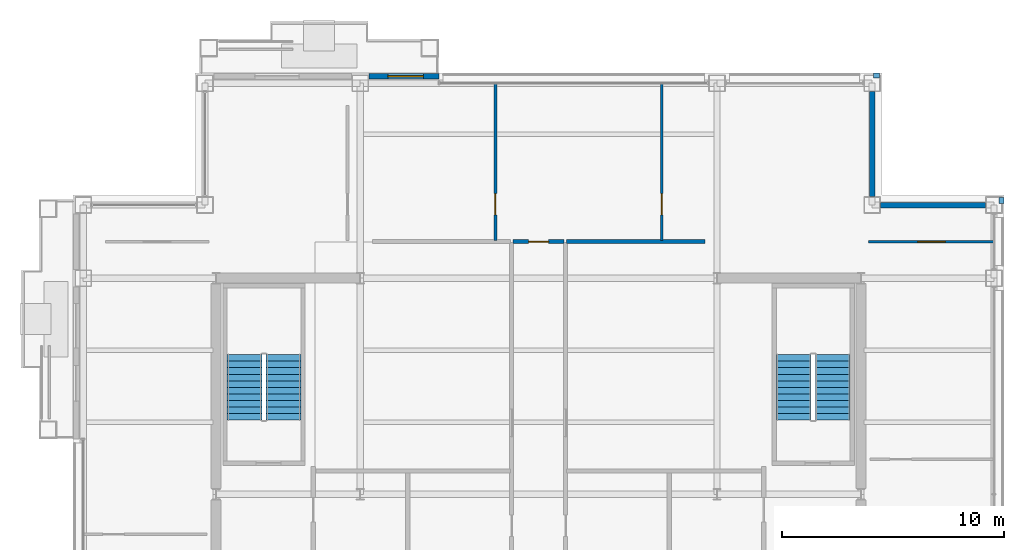
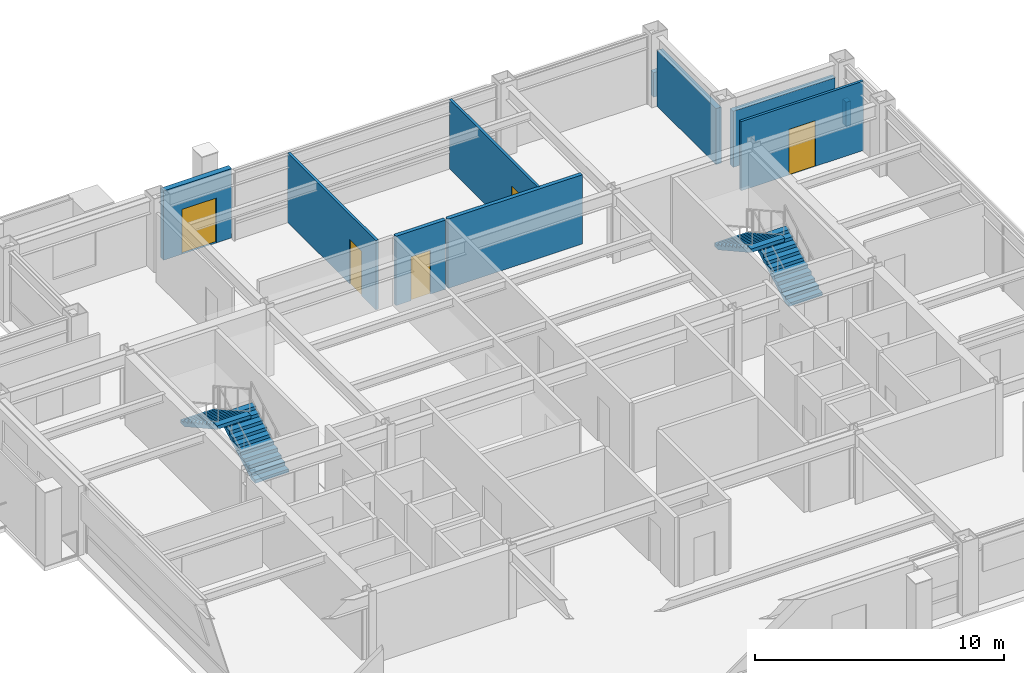
# One storey, part 27 of 30: 10 walls, 5 doors, 4 stair flights, 5 openings, 2 elements without a shape of their own.
"""IFC4 building model written with IfcOpenShell, lengths in metres."""

from ifc_helpers import new_model, si_unit, direction, frame, frame_2d, origin, place, context, subcontext, project, spatial, polyline, rectangle, outline, extrude, material, layer, layer_set, type_object, element, fill, aggregate, save


model = new_model("IFC4")

# Units and contexts
model_context = context("Model", 3, precision=1e-05, world=origin(), true_north=direction((0.0, 1.0)))
body_context = subcontext(model_context, "Body", "Model", "MODEL_VIEW")
ifc_project = project(units=[si_unit("LENGTHUNIT", "METRE"), si_unit("AREAUNIT", "SQUARE_METRE"), si_unit("VOLUMEUNIT", "CUBIC_METRE"), si_unit("PLANEANGLEUNIT", "RADIAN"), si_unit("MASSUNIT", "GRAM", prefix="KILO")], contexts=[model_context])

# Site, building, storey
site_placement = place(None, origin())
site = spatial("IfcSite", under=ifc_project, at=site_placement, CompositionType="ELEMENT")
building_placement = place(site_placement, origin())
building = spatial("IfcBuilding", under=site, at=building_placement, Name="Brelmoor Portico Tower", CompositionType="ELEMENT")
storey_placement = place(building_placement, frame((0.0, 0.0, 169.5)))
storey = spatial("IfcBuildingStorey", under=building, at=storey_placement, Name="L44", CompositionType="ELEMENT", Elevation=169.5)

# Wall, opening, door
ifc_material_1 = material(Name="Precast Concrete C40 Insulated Facade Wall", Category="concrete")
ifc_layer_1 = layer(ifc_material_1, 0.25)
ifc_layer_set_1 = layer_set([ifc_layer_1], Name="Precast Concrete C40 Insulated Facade Wall")
wall_type_1 = type_object("IfcWallType", Name="WL-EXT-250", PredefinedType="STANDARD", material=ifc_layer_set_1)
wall_1_placement = place(storey_placement, frame((-7.655029296875, 18.860107421875, 0.0), z_axis=(0.0, 0.0, 1.0), x_axis=(1.0, 0.0, 0.0)))
wall_1 = element("IfcWall", 1, at=wall_1_placement, inside=storey, type_object=wall_type_1, Name="L44 Loggia Threshold Wall N-2", PredefinedType="STANDARD", context=body_context, shape_type="SweptSolid", body=[
    extrude(rectangle(XDim=3.155029296875, YDim=0.25, at=frame_2d((1.57763671875, 0.0))), origin(), (0.0, 0.0, 1.0), 3.39990234375),
])
opening_1_placement = place(wall_1_placement, frame((0.85498046875, 0.0, 0.0)))
opening_1 = element("IfcOpeningElement", 2, at=opening_1_placement, cuts=wall_1, Name="Opening D-TB1", PredefinedType="OPENING", context=body_context, shape_type="SweptSolid", body=[
    extrude(rectangle(XDim=1.60009765625, YDim=2.199951171875, at=frame_2d((0.800048828125, 1.10009765625))), frame((0.0, 0.135009765625, 0.0), z_axis=(0.0, -1.0, 0.0), x_axis=(1.0, 0.0, 0.0)), (0.0, 0.0, 1.0), 0.27001953125),
])
ifc_material_2 = material(Name="Double-Leaf Thermally Broken Terrace Door", Category="aluminium")
door_type_1 = type_object("IfcDoorType", Name="DR-BALCONY-1600", OperationType="NOTDEFINED", PredefinedType="DOOR", material=ifc_material_2)
door_1_placement = place(opening_1_placement, origin())
door_1 = element("IfcDoor", 3, at=door_1_placement, inside=storey, type_object=door_type_1, Name="D-1892 L44 Tree Balcony Double Door N", OperationType="DOUBLE_DOOR_SINGLE_SWING", OverallHeight=2.199951171875, OverallWidth=1.60009765625, PredefinedType="DOOR", context=body_context, shape_type="SweptSolid", body=[
    extrude(rectangle(XDim=1.60009765625, YDim=2.199951171875, at=frame_2d((0.800048828125, 1.10009765625))), frame((0.0, 0.02490234375, 0.0), z_axis=(0.0, -1.0, 0.0), x_axis=(1.0, 0.0, 0.0)), (0.0, 0.0, 1.0), 0.050048828125),
])
fill(opening_1, door_1)

# Walls
for number, where, z_axis, x_axis, name in (
    (4, (15.43505859375, 13.050048828125, 0.0), (0.0, 0.0, 1.0), (1.0, 0.0, 0.0), "L44 Corner Notch Facade Wall NNEH1"),
    (5, (15.050048828125, 13.43505859375, 0.0), (0.0, 0.0, 1.0), (0.0, 1.0, 0.0), "L44 Corner Notch Facade Wall NNEV1"),
):
    element("IfcWall", number, at=place(storey_placement, frame(where, z_axis=z_axis, x_axis=x_axis)), inside=storey, type_object=wall_type_1, Name=name, PredefinedType="STANDARD", context=body_context, shape_type="SweptSolid", body=[
        extrude(rectangle(XDim=4.72998046875, YDim=0.25, at=frame_2d((2.364990234375, 0.0))), origin(), (0.0, 0.0, 1.0), 2.75),
    ])
ifc_material_3 = material(Name="Concrete C40 Parapet Upstand", Category="concrete")
ifc_layer_2 = layer(ifc_material_3, 0.219970703125)
ifc_layer_set_2 = layer_set([ifc_layer_2], Name="Concrete C40 Parapet Upstand")
wall_type_2 = type_object("IfcWallType", Name="WL-PARAPET-220", PredefinedType="PARAPET", material=ifc_layer_set_2)
for number, where, z_axis, x_axis, name in (
    (6, (15.1201171875, 18.889892578125, 0.0), (0.0, 0.0, 1.0), (1.0, 0.0, 0.0), "L44 Chamfer Vertex Parapet Pier NE1"),
    (7, (20.889892578125, 13.1201171875, 0.0), (0.0, 0.0, 1.0), (0.0, 1.0, 0.0), "L44 Chamfer Vertex Parapet Pier NE2"),
):
    element("IfcWall", number, at=place(storey_placement, frame(where, z_axis=z_axis, x_axis=x_axis)), inside=storey, type_object=wall_type_2, Name=name, PredefinedType="PARAPET", context=body_context, shape_type="SweptSolid", body=[
        extrude(rectangle(XDim=0.269775390625, YDim=0.219970703125, at=frame_2d((0.134765625, 0.0))), origin(), (0.0, 0.0, 1.0), 1.199951171875),
    ])

# Wall, opening, door
ifc_material_4 = material(Name="Lightweight Gypsum Office Partition", Category="gypsum")
ifc_layer_3 = layer(ifc_material_4, 0.1201171875)
ifc_layer_set_3 = layer_set([ifc_layer_3], Name="Lightweight Gypsum Office Partition")
wall_type_3 = type_object("IfcWallType", Name="WL-PART-120", PredefinedType="PARTITIONING", material=ifc_layer_set_3)
wall_2_placement = place(storey_placement, frame((-1.947509765625, 11.4599609375, 0.0), z_axis=(0.0, 0.0, 1.0), x_axis=(0.0, 1.0, 0.0)))
wall_2 = element("IfcWall", 8, at=wall_2_placement, inside=storey, type_object=wall_type_3, Name="L44 North Suite Partition 2", PredefinedType="PARTITIONING", context=body_context, shape_type="SweptSolid", body=[
    extrude(rectangle(XDim=7.10009765625, YDim=0.1201171875, at=frame_2d((3.550048828125, 0.0))), origin(), (0.0, 0.0, 1.0), 3.39990234375),
])
opening_2_placement = place(wall_2_placement, frame((1.14990234375, 0.0, 0.0)))
opening_2 = element("IfcOpeningElement", 9, at=opening_2_placement, cuts=wall_2, Name="Opening D-IN2", PredefinedType="OPENING", context=body_context, shape_type="SweptSolid", body=[
    extrude(rectangle(XDim=0.9599609375, YDim=2.179931640625, at=frame_2d((0.47998046875, 1.08984375))), frame((0.0, 0.070068359375, 0.0), z_axis=(0.0, -1.0, 0.0), x_axis=(1.0, 0.0, 0.0)), (0.0, 0.0, 1.0), 0.14013671875),
])
ifc_material_5 = material(Name="Lacquered Timber Suite Door", Category="wood")
door_type_2 = type_object("IfcDoorType", Name="DR-INT-950", OperationType="NOTDEFINED", PredefinedType="DOOR", material=ifc_material_5)
door_2_placement = place(opening_2_placement, origin())
door_2 = element("IfcDoor", 10, at=door_2_placement, inside=storey, type_object=door_type_2, Name="D-1883 L44 North Suite Connecting Door 2", OperationType="SINGLE_SWING_RIGHT", OverallHeight=2.179931640625, OverallWidth=0.9599609375, PredefinedType="DOOR", context=body_context, shape_type="SweptSolid", body=[
    extrude(rectangle(XDim=0.9599609375, YDim=2.179931640625, at=frame_2d((0.47998046875, 1.08984375))), frame((0.0, 0.02490234375, 0.0), z_axis=(0.0, -1.0, 0.0), x_axis=(1.0, 0.0, 0.0)), (0.0, 0.0, 1.0), 0.050048828125),
])
fill(opening_2, door_2)

wall_3_placement = place(storey_placement, frame((5.56396484375, 11.4599609375, 0.0), z_axis=(0.0, 0.0, 1.0), x_axis=(0.0, 1.0, 0.0)))
wall_3 = element("IfcWall", 11, at=wall_3_placement, inside=storey, type_object=wall_type_3, Name="L44 North Suite Partition 3", PredefinedType="PARTITIONING", context=body_context, shape_type="SweptSolid", body=[
    extrude(rectangle(XDim=7.10009765625, YDim=0.1201171875, at=frame_2d((3.550048828125, 0.0))), origin(), (0.0, 0.0, 1.0), 3.39990234375),
])
opening_3_placement = place(wall_3_placement, frame((1.14990234375, 0.0, 0.0)))
opening_3 = element("IfcOpeningElement", 12, at=opening_3_placement, cuts=wall_3, Name="Opening D-IN2", PredefinedType="OPENING", context=body_context, shape_type="SweptSolid", body=[
    extrude(rectangle(XDim=0.9599609375, YDim=2.179931640625, at=frame_2d((0.47998046875, 1.08984375))), frame((0.0, 0.070068359375, 0.0), z_axis=(0.0, -1.0, 0.0), x_axis=(1.0, 0.0, 0.0)), (0.0, 0.0, 1.0), 0.14013671875),
])
door_3_placement = place(opening_3_placement, origin())
door_3 = element("IfcDoor", 13, at=door_3_placement, inside=storey, type_object=door_type_2, Name="D-1884 L44 North Suite Connecting Door 3", OperationType="SINGLE_SWING_LEFT", OverallHeight=2.179931640625, OverallWidth=0.9599609375, PredefinedType="DOOR", context=body_context, shape_type="SweptSolid", body=[
    extrude(rectangle(XDim=0.9599609375, YDim=2.179931640625, at=frame_2d((0.47998046875, 1.08984375))), frame((0.0, 0.02490234375, 0.0), z_axis=(0.0, -1.0, 0.0), x_axis=(1.0, 0.0, 0.0)), (0.0, 0.0, 1.0), 0.050048828125),
])
fill(opening_3, door_3)

wall_4_placement = place(storey_placement, frame((14.8798828125, 11.39990234375, 0.0), z_axis=(0.0, 0.0, 1.0), x_axis=(1.0, 0.0, 0.0)))
wall_4 = element("IfcWall", 14, at=wall_4_placement, inside=storey, type_object=wall_type_3, Name="L44 North Wing Suite Wall ER", PredefinedType="PARTITIONING", context=body_context, shape_type="SweptSolid", body=[
    extrude(rectangle(XDim=5.68017578125, YDim=0.1201171875, at=frame_2d((2.840087890625, 0.0))), origin(), (0.0, 0.0, 1.0), 3.39990234375),
])
opening_4_placement = place(wall_4_placement, frame((2.219970703125, 0.0, 0.0)))
opening_4 = element("IfcOpeningElement", 15, at=opening_4_placement, cuts=wall_4, Name="Opening D-SU1", PredefinedType="OPENING", context=body_context, shape_type="SweptSolid", body=[
    extrude(rectangle(XDim=1.239990234375, YDim=2.239990234375, at=frame_2d((0.6201171875, 1.1201171875))), frame((0.0, 0.070068359375, 0.0), z_axis=(0.0, -1.0, 0.0), x_axis=(1.0, 0.0, 0.0)), (0.0, 0.0, 1.0), 0.14013671875),
])
ifc_material_6 = material(Name="Glazed Timber Executive Suite Door", Category="wood")
door_type_3 = type_object("IfcDoorType", Name="DR-SUITE-1200", OperationType="NOTDEFINED", PredefinedType="DOOR", material=ifc_material_6)
door_4_placement = place(opening_4_placement, origin())
door_4 = element("IfcDoor", 16, at=door_4_placement, inside=storey, type_object=door_type_3, Name="D-1885 L44 ER Wing Suite Connecting Door", OperationType="SINGLE_SWING_RIGHT", OverallHeight=2.239990234375, OverallWidth=1.239990234375, PredefinedType="DOOR", context=body_context, shape_type="SweptSolid", body=[
    extrude(rectangle(XDim=1.239990234375, YDim=2.239990234375, at=frame_2d((0.6201171875, 1.1201171875))), frame((0.0, 0.02490234375, 0.0), z_axis=(0.0, -1.0, 0.0), x_axis=(1.0, 0.0, 0.0)), (0.0, 0.0, 1.0), 0.050048828125),
])
fill(opening_4, door_4)

# Wall
ifc_material_7 = material(Name="Acoustic Corridor Fire Partition", Category="gypsum")
ifc_layer_4 = layer(ifc_material_7, 0.179931640625)
ifc_layer_set_4 = layer_set([ifc_layer_4], Name="Acoustic Corridor Fire Partition")
wall_type_4 = type_object("IfcWallType", Name="WL-PART-180", PredefinedType="PARTITIONING", material=ifc_layer_set_4)
wall_5_placement = place(storey_placement, frame((1.260009765625, 11.39990234375, 0.0), z_axis=(0.0, 0.0, 1.0), x_axis=(1.0, 0.0, 0.0)))
element("IfcWall", 17, at=wall_5_placement, inside=storey, type_object=wall_type_4, Name="L44 East Suite North Wall", PredefinedType="PARTITIONING", context=body_context, shape_type="SweptSolid", body=[
    extrude(rectangle(XDim=6.239990234375, YDim=0.179931640625, at=frame_2d((3.1201171875, 0.0))), origin(), (0.0, 0.0, 1.0), 3.39990234375),
])

# Wall, opening, door
wall_6_placement = place(storey_placement, frame((-1.14990234375, 11.39990234375, 0.0), z_axis=(0.0, 0.0, 1.0), x_axis=(1.0, 0.0, 0.0)))
wall_6 = element("IfcWall", 18, at=wall_6_placement, inside=storey, type_object=wall_type_4, Name="L44 North Corridor Partition", PredefinedType="PARTITIONING", context=body_context, shape_type="SweptSolid", body=[
    extrude(rectangle(XDim=2.2998046875, YDim=0.179931640625, at=frame_2d((1.14990234375, 0.0))), origin(), (0.0, 0.0, 1.0), 3.39990234375),
])
opening_5_placement = place(wall_6_placement, frame((0.699951171875, 0.0, 0.0)))
opening_5 = element("IfcOpeningElement", 19, at=opening_5_placement, cuts=wall_6, Name="Opening D-IN1", PredefinedType="OPENING", context=body_context, shape_type="SweptSolid", body=[
    extrude(rectangle(XDim=0.89990234375, YDim=2.14990234375, at=frame_2d((0.449951171875, 1.074951171875))), frame((0.0, 0.099853515625, 0.0), z_axis=(0.0, -1.0, 0.0), x_axis=(1.0, 0.0, 0.0)), (0.0, 0.0, 1.0), 0.199951171875),
])
door_type_4 = type_object("IfcDoorType", Name="DR-INT-900", OperationType="NOTDEFINED", PredefinedType="DOOR", material=ifc_material_5)
door_5_placement = place(opening_5_placement, origin())
door_5 = element("IfcDoor", 20, at=door_5_placement, inside=storey, type_object=door_type_4, Name="D-1881 L44 North Open-Plan Office 3 Door", OperationType="SINGLE_SWING_RIGHT", OverallHeight=2.14990234375, OverallWidth=0.89990234375, PredefinedType="DOOR", context=body_context, shape_type="SweptSolid", body=[
    extrude(rectangle(XDim=0.89990234375, YDim=2.14990234375, at=frame_2d((0.449951171875, 1.074951171875))), frame((0.0, 0.02490234375, 0.0), z_axis=(0.0, -1.0, 0.0), x_axis=(1.0, 0.0, 0.0)), (0.0, 0.0, 1.0), 0.050048828125),
])
fill(opening_5, door_5)

# Stair, stair flights
ifc_material_8 = material(Name="Concrete C40", Category="concrete")
stair_type_1 = type_object("IfcStairType", Name="ST-CORE-W", PredefinedType="HALF_TURN_STAIR", material=ifc_material_8)
stair_1_placement = place(storey_placement, origin())
stair_1 = element("IfcStair", 21, at=stair_1_placement, inside=storey, type_object=stair_type_1, Name="L44 Protected Core Exit Stair ST-W", PredefinedType="HALF_TURN_STAIR")
stair_flight_type = type_object("IfcStairFlightType", Name="SF-CORE-1850", PredefinedType="STRAIGHT", material=ifc_material_8)
stair_flight_1_placement = place(storey_placement, frame((-11.510009765625, 3.35009765625, 0.0), z_axis=(0.0, 0.0, 1.0), x_axis=(0.0, 1.0, 0.0)))
stair_flight_1 = element("IfcStairFlight", 22, at=stair_flight_1_placement, type_object=stair_flight_type, Name="ST-W flight 1", NumberOfRisers=11, NumberOfTreads=10, PredefinedType="STRAIGHT", RiserHeight=0.163636364, TreadLength=0.295, context=body_context, shape_type="SweptSolid", body=[
    extrude(outline(polyline([(0.0, 0.0), (0.0, 0.16357421875), (0.294921875, 0.16357421875), (0.294921875, 0.327392578125), (0.590087890625, 0.327392578125), (0.590087890625, 0.490966796875), (0.885009765625, 0.490966796875), (0.885009765625, 0.654541015625), (1.179931640625, 0.654541015625), (1.179931640625, 0.818115234375), (1.47509765625, 0.818115234375), (1.47509765625, 0.98193359375), (1.77001953125, 0.98193359375), (1.77001953125, 1.1455078125), (2.06494140625, 1.1455078125), (2.06494140625, 1.30908203125), (2.360107421875, 1.30908203125), (2.360107421875, 1.47265625), (2.655029296875, 1.47265625), (2.655029296875, 1.636474609375), (2.949951171875, 1.636474609375), (2.949951171875, 1.800048828125), (2.949951171875, 1.46484375), (0.30908203125, 0.0), (0.0, 0.0)])), frame((0.0, 0.780029296875, 0.0), z_axis=(0.0, -1.0, 0.0), x_axis=(1.0, 0.0, 0.0)), (0.0, 0.0, 1.0), 1.56005859375),
])
stair_flight_2_placement = place(storey_placement, frame((-13.27001953125, 6.300048828125, 1.800048828125), z_axis=(0.0, 0.0, 1.0), x_axis=(0.0, -1.0, 0.0)))
stair_flight_2 = element("IfcStairFlight", 23, at=stair_flight_2_placement, type_object=stair_flight_type, Name="ST-W flight 2", NumberOfRisers=11, NumberOfTreads=10, PredefinedType="STRAIGHT", RiserHeight=0.163636364, TreadLength=0.295, context=body_context, shape_type="SweptSolid", body=[
    extrude(outline(polyline([(0.0, 0.0), (0.0, 0.16357421875), (0.294921875, 0.16357421875), (0.294921875, 0.327392578125), (0.590087890625, 0.327392578125), (0.590087890625, 0.490966796875), (0.885009765625, 0.490966796875), (0.885009765625, 0.654541015625), (1.179931640625, 0.654541015625), (1.179931640625, 0.818115234375), (1.47509765625, 0.818115234375), (1.47509765625, 0.98193359375), (1.77001953125, 0.98193359375), (1.77001953125, 1.1455078125), (2.06494140625, 1.1455078125), (2.06494140625, 1.30908203125), (2.360107421875, 1.30908203125), (2.360107421875, 1.47265625), (2.655029296875, 1.47265625), (2.655029296875, 1.636474609375), (2.949951171875, 1.636474609375), (2.949951171875, 1.800048828125), (2.949951171875, 1.46484375), (0.30908203125, 0.0), (0.0, 0.0)])), frame((0.0, 0.780029296875, 0.0), z_axis=(0.0, -1.0, 0.0), x_axis=(1.0, 0.0, 0.0)), (0.0, 0.0, 1.0), 1.56005859375),
])
aggregate(stair_1, [stair_flight_1, stair_flight_2])

stair_type_2 = type_object("IfcStairType", Name="ST-CORE-E", PredefinedType="HALF_TURN_STAIR", material=ifc_material_8)
stair_2_placement = place(storey_placement, origin())
stair_2 = element("IfcStair", 24, at=stair_2_placement, inside=storey, type_object=stair_type_2, Name="L44 Protected Core Exit Stair ST-E", PredefinedType="HALF_TURN_STAIR")
stair_flight_3_placement = place(storey_placement, frame((13.27001953125, 3.35009765625, 0.0), z_axis=(0.0, 0.0, 1.0), x_axis=(0.0, 1.0, 0.0)))
stair_flight_3 = element("IfcStairFlight", 25, at=stair_flight_3_placement, type_object=stair_flight_type, Name="ST-E flight 1", NumberOfRisers=11, NumberOfTreads=10, PredefinedType="STRAIGHT", RiserHeight=0.163636364, TreadLength=0.295, context=body_context, shape_type="SweptSolid", body=[
    extrude(outline(polyline([(0.0, 0.0), (0.0, 0.16357421875), (0.294921875, 0.16357421875), (0.294921875, 0.327392578125), (0.590087890625, 0.327392578125), (0.590087890625, 0.490966796875), (0.885009765625, 0.490966796875), (0.885009765625, 0.654541015625), (1.179931640625, 0.654541015625), (1.179931640625, 0.818115234375), (1.47509765625, 0.818115234375), (1.47509765625, 0.98193359375), (1.77001953125, 0.98193359375), (1.77001953125, 1.1455078125), (2.06494140625, 1.1455078125), (2.06494140625, 1.30908203125), (2.360107421875, 1.30908203125), (2.360107421875, 1.47265625), (2.655029296875, 1.47265625), (2.655029296875, 1.636474609375), (2.949951171875, 1.636474609375), (2.949951171875, 1.800048828125), (2.949951171875, 1.46484375), (0.30908203125, 0.0), (0.0, 0.0)])), frame((0.0, 0.780029296875, 0.0), z_axis=(0.0, -1.0, 0.0), x_axis=(1.0, 0.0, 0.0)), (0.0, 0.0, 1.0), 1.56005859375),
])
stair_flight_4_placement = place(storey_placement, frame((11.510009765625, 6.300048828125, 1.800048828125), z_axis=(0.0, 0.0, 1.0), x_axis=(0.0, -1.0, 0.0)))
stair_flight_4 = element("IfcStairFlight", 26, at=stair_flight_4_placement, type_object=stair_flight_type, Name="ST-E flight 2", NumberOfRisers=11, NumberOfTreads=10, PredefinedType="STRAIGHT", RiserHeight=0.163636364, TreadLength=0.295, context=body_context, shape_type="SweptSolid", body=[
    extrude(outline(polyline([(0.0, 0.0), (0.0, 0.16357421875), (0.294921875, 0.16357421875), (0.294921875, 0.327392578125), (0.590087890625, 0.327392578125), (0.590087890625, 0.490966796875), (0.885009765625, 0.490966796875), (0.885009765625, 0.654541015625), (1.179931640625, 0.654541015625), (1.179931640625, 0.818115234375), (1.47509765625, 0.818115234375), (1.47509765625, 0.98193359375), (1.77001953125, 0.98193359375), (1.77001953125, 1.1455078125), (2.06494140625, 1.1455078125), (2.06494140625, 1.30908203125), (2.360107421875, 1.30908203125), (2.360107421875, 1.47265625), (2.655029296875, 1.47265625), (2.655029296875, 1.636474609375), (2.949951171875, 1.636474609375), (2.949951171875, 1.800048828125), (2.949951171875, 1.46484375), (0.30908203125, 0.0), (0.0, 0.0)])), frame((0.0, 0.780029296875, 0.0), z_axis=(0.0, -1.0, 0.0), x_axis=(1.0, 0.0, 0.0)), (0.0, 0.0, 1.0), 1.56005859375),
])
aggregate(stair_2, [stair_flight_3, stair_flight_4])

save(model, "model.ifc")
